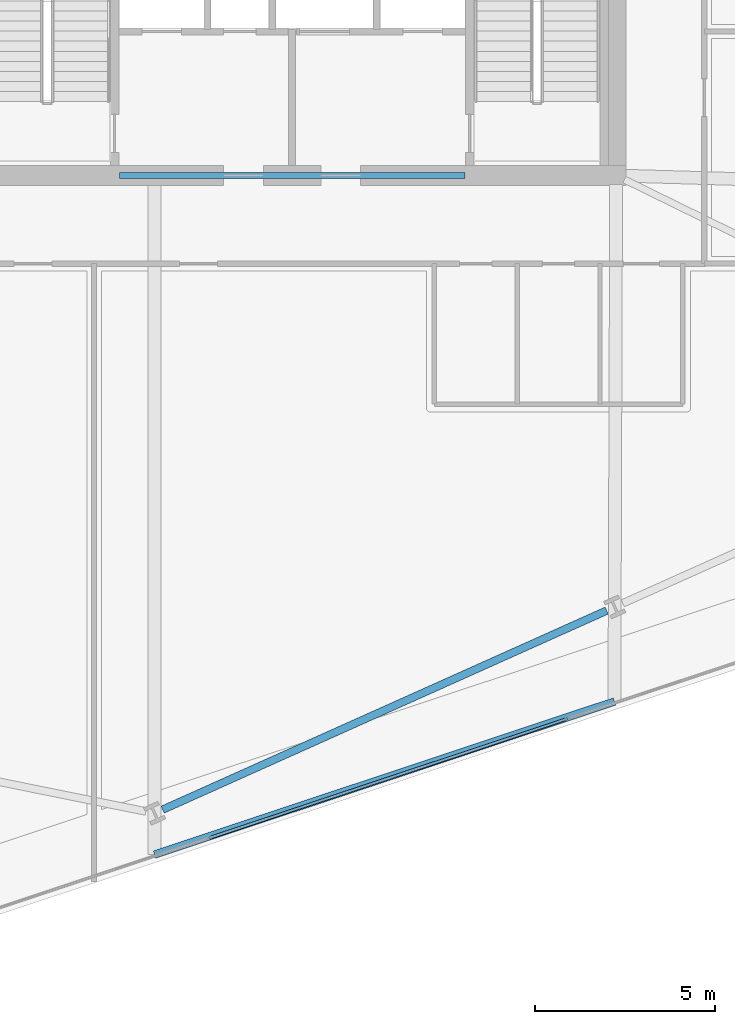
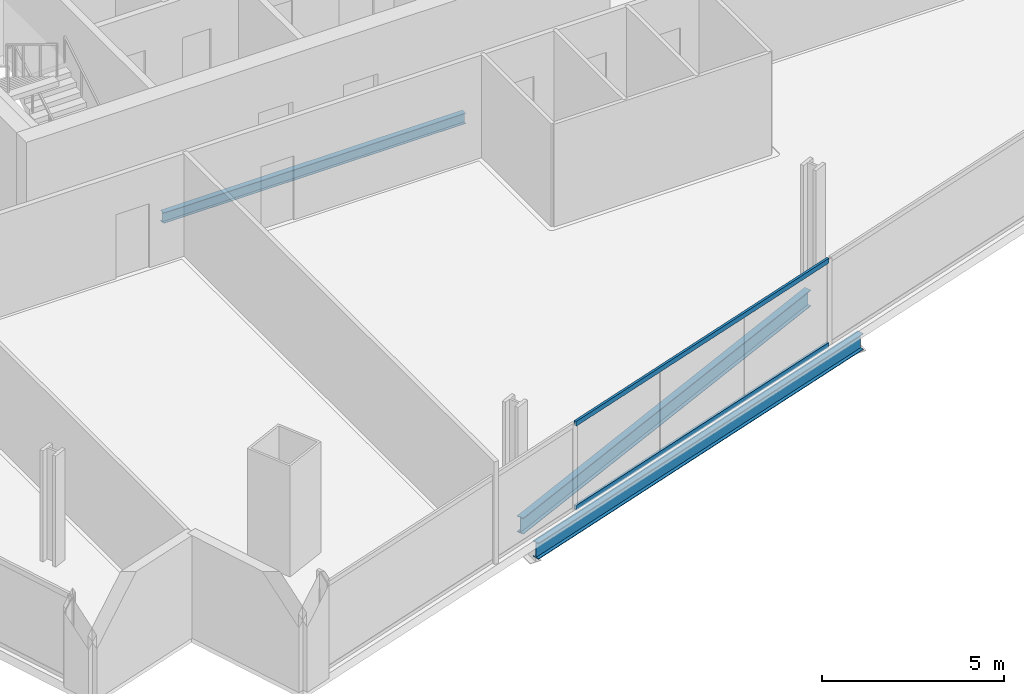
# One storey, part 7 of 34: 3 beams, 2 members, 1 element without a shape of its own.
"""IFC4 building model written with IfcOpenShell, lengths in metres."""

import ifcopenshell
import ifcopenshell.guid

model = None  # the IFC model being written
_history = None  # IfcOwnerHistory: only IFC2X3 demands one
_inside = {}  # id of a spatial element -> (the spatial element, [elements in it])
_under = {}  # id of a project, library or spatial element -> (it, [spatial elements below it])
_declared = {}  # id of a project -> (the project, [libraries it declares])
_typed = {}  # id of a type object -> (the type object, [elements of that type])
_made_of = {}  # id of a material, layer set ... -> (it, [elements and type objects made of it])


def new_model(schema):
    """Start an empty IFC model of exactly this schema.

    Asked for "IFC4X3", IfcOpenShell would pick the latest addendum, in which some entities
    have other attributes; the version numbers below select the first issue.
    IFC2X3 requires an IfcOwnerHistory on every rooted entity: one is made here for all.
    """
    global model, _history
    if schema == "IFC4X3":
        model = ifcopenshell.file(schema_version=(4, 3, 0, 0))
    else:
        model = ifcopenshell.file(schema=schema)
    _inside.clear()
    _under.clear()
    _declared.clear()
    _typed.clear()
    _made_of.clear()
    _history = None
    if model.schema == "IFC2X3":
        org = make("IfcOrganization", Name="unknown")
        user = make(
            "IfcPersonAndOrganization",
            ThePerson=make("IfcPerson", FamilyName="unknown"),
            TheOrganization=org,
        )
        app = make(
            "IfcApplication",
            ApplicationDeveloper=org,
            Version="unknown",
            ApplicationFullName="unknown",
            ApplicationIdentifier="unknown",
        )
        _history = make(
            "IfcOwnerHistory",
            OwningUser=user,
            OwningApplication=app,
            ChangeAction="ADDED",
            CreationDate=0,
        )
    return model


def make(cls, **values):
    """One entity of the class cls with the attributes given. An attribute that is None is left unset."""
    return model.create_entity(
        cls, **{name: value for name, value in values.items() if value is not None}
    )


def rooted(cls, **values):
    """An entity with a GlobalId (a new one), such as an element, a storey or a relation."""
    return make(cls, GlobalId=ifcopenshell.guid.new(), OwnerHistory=_history, **values)


def si_unit(unit_type, name, prefix=None):
    """IfcSIUnit, for example si_unit("LENGTHUNIT", "METRE", prefix="MILLI")."""
    return make("IfcSIUnit", UnitType=unit_type, Prefix=prefix, Name=name)


def assignment(units):
    """IfcUnitAssignment: the units of a project."""
    return None if units is None else make("IfcUnitAssignment", Units=units)


def point(xyz):
    """IfcCartesianPoint."""
    return None if xyz is None else make("IfcCartesianPoint", Coordinates=xyz)


def direction(xyz):
    """IfcDirection."""
    return None if xyz is None else make("IfcDirection", DirectionRatios=xyz)


def frame(location, z_axis=None, x_axis=None):
    """IfcAxis2Placement3D, a coordinate frame: its origin and axes. An axis left out is left unset."""
    return make(
        "IfcAxis2Placement3D",
        Location=point(location),
        Axis=direction(z_axis),
        RefDirection=direction(x_axis),
    )


def frame_2d(location, x_axis=None):
    """IfcAxis2Placement2D, a coordinate frame in the plane: its origin and x axis."""
    return make(
        "IfcAxis2Placement2D", Location=point(location), RefDirection=direction(x_axis)
    )


def origin():
    """The frame at (0, 0, 0) with its axes left unset."""
    return frame((0.0, 0.0, 0.0))


def origin_2d():
    """The frame at (0, 0) in the plane with its x axis left unset."""
    return frame_2d((0.0, 0.0))


def place(relative_to, where):
    """IfcLocalPlacement: puts the frame where relative to a parent placement (None: the world)."""
    return make(
        "IfcLocalPlacement", PlacementRelTo=relative_to, RelativePlacement=where
    )


def context(
    kind, dimensions, precision=None, world=None, true_north=None, identifier=None
):
    """IfcGeometricRepresentationContext, for example the 3D "Model" context."""
    return make(
        "IfcGeometricRepresentationContext",
        ContextIdentifier=identifier,
        ContextType=kind,
        CoordinateSpaceDimension=dimensions,
        Precision=precision,
        WorldCoordinateSystem=world,
        TrueNorth=true_north,
    )


def subcontext(parent, identifier, kind, view, scale=None):
    """IfcGeometricRepresentationSubContext, for example "Body" below "Model"."""
    return make(
        "IfcGeometricRepresentationSubContext",
        ContextIdentifier=identifier,
        ContextType=kind,
        ParentContext=parent,
        TargetScale=scale,
        TargetView=view,
    )


def project(units=None, contexts=None):
    """IfcProject with its units and contexts."""
    return rooted(
        "IfcProject",
        Name="project",
        RepresentationContexts=contexts,
        UnitsInContext=assignment(units),
    )


def spatial(cls, under=None, at=None, **own):
    """A site, building, storey or space (cls), placed at a placement, below another one or the project."""
    s = rooted(cls, ObjectPlacement=at, **own)
    if under is not None:
        _under.setdefault(under.id(), (under, []))[1].append(s)
    return s


def profile(cls, at=None, kind="AREA", **sizes):
    """A parametric profile (cls). Its sizes go by their IFC names, for example OverallWidth=200.0."""
    return make(cls, ProfileType=kind, Position=at, **sizes)


def hollow_rectangle(**sizes):
    """IfcRectangleHollowProfileDef."""
    return profile("IfcRectangleHollowProfileDef", **sizes)


def i_section(**sizes):
    """IfcIShapeProfileDef."""
    return profile("IfcIShapeProfileDef", **sizes)


def extrude(swept, where, along, depth):
    """IfcExtrudedAreaSolid: the profile swept, set in the frame where, extruded along a direction by depth."""
    return make(
        "IfcExtrudedAreaSolid",
        SweptArea=swept,
        Position=where,
        ExtrudedDirection=direction(along),
        Depth=depth,
    )


def shape(context_of_items, identifier, shape_type, items):
    """IfcShapeRepresentation: the items that make up one representation, for example the "Body"."""
    return make(
        "IfcShapeRepresentation",
        ContextOfItems=context_of_items,
        RepresentationIdentifier=identifier,
        RepresentationType=shape_type,
        Items=items,
    )


def material(Name=None, Category=None):
    """IfcMaterial."""
    return make("IfcMaterial", Name=Name, Category=Category)


def material_profile(
    of_material, cross_section, Name=None, Category=None, Priority=None
):
    """IfcMaterialProfile: a cross section and its material."""
    return make(
        "IfcMaterialProfile",
        Name=Name,
        Material=of_material,
        Profile=cross_section,
        Priority=Priority,
        Category=Category,
    )


def profile_set(profiles, Name=None, composite=None):
    """IfcMaterialProfileSet."""
    return make(
        "IfcMaterialProfileSet",
        Name=Name,
        MaterialProfiles=profiles,
        CompositeProfile=composite,
    )


def made_of(thing, what):
    """Note that an element or type object is made of a material, layer set ...; save() writes the relation."""
    if what is not None:
        _made_of.setdefault(what.id(), (what, []))[1].append(thing)
    return thing


def type_object(cls, material=None, **own):
    """A type object (cls), such as IfcWallType, which elements share."""
    return made_of(rooted(cls, **own), material)


def element(
    cls,
    number,
    at=None,
    inside=None,
    cuts=None,
    type_object=None,
    material=None,
    context=None,
    identifier="Body",
    shape_type=None,
    held_by="IfcProductDefinitionShape",
    body=None,
    shapes=None,
    **own,
):
    """One element of the class cls, such as IfcWall. Its Tag is "e" and its number.

    at: its placement. inside: the storey or other place that contains it. cuts: it is an
    opening in that element (IfcRelVoidsElement). A single representation is given by context,
    identifier, shape_type and body (its items); several are given by shapes. held_by: the class
    of the entity that holds the representations. save() writes the other relations.
    """
    e = rooted(cls, Tag="e%d" % number, ObjectPlacement=at, **own)
    if body is not None:
        shapes = [shape(context, identifier, shape_type, body)]
    if shapes is not None:
        e.Representation = make(held_by, Representations=shapes)
    if inside is not None:
        _inside.setdefault(inside.id(), (inside, []))[1].append(e)
    if cuts is not None:
        rooted(
            "IfcRelVoidsElement", RelatingBuildingElement=cuts, RelatedOpeningElement=e
        )
    if type_object is not None:
        _typed.setdefault(type_object.id(), (type_object, []))[1].append(e)
    return made_of(e, material)


def aggregate(whole, parts):
    """IfcRelAggregates: a whole, such as a stair, and the parts it consists of."""
    return rooted("IfcRelAggregates", RelatingObject=whole, RelatedObjects=parts)


def save(model, path):
    """Write the relations noted so far, then the file.

    IfcRelAggregates (storeys below a building ...), IfcRelContainedInSpatialStructure (elements
    in a storey), IfcRelDefinesByType, IfcRelAssociatesMaterial and IfcRelDeclares: one each for
    every whole, place, type object, material and project.
    """
    for whole, parts in _under.values():
        aggregate(whole, parts)
    for where, things in _inside.values():
        rooted(
            "IfcRelContainedInSpatialStructure",
            RelatedElements=things,
            RelatingStructure=where,
        )
    for kind, things in _typed.values():
        rooted("IfcRelDefinesByType", RelatedObjects=things, RelatingType=kind)
    for what, things in _made_of.values():
        rooted("IfcRelAssociatesMaterial", RelatedObjects=things, RelatingMaterial=what)
    for by, libraries in _declared.values():
        rooted("IfcRelDeclares", RelatingContext=by, RelatedDefinitions=libraries)
    model.write(path)


model = new_model("IFC4")

# Units and contexts
model_context = context("Model", 3, precision=1e-05, world=origin(), true_north=direction((0.0, 1.0)))
body_context = subcontext(model_context, "Body", "Model", "MODEL_VIEW")
ifc_project = project(units=[si_unit("LENGTHUNIT", "METRE"), si_unit("AREAUNIT", "SQUARE_METRE"), si_unit("VOLUMEUNIT", "CUBIC_METRE"), si_unit("PLANEANGLEUNIT", "RADIAN"), si_unit("MASSUNIT", "GRAM", prefix="KILO")], contexts=[model_context])

# Site, building, storey
site_placement = place(None, origin())
site = spatial("IfcSite", under=ifc_project, at=site_placement, CompositionType="ELEMENT")
building_placement = place(site_placement, origin())
building = spatial("IfcBuilding", under=site, at=building_placement, Name="Haldenkirk Collegiate Tower", CompositionType="ELEMENT")
storey_placement = place(building_placement, frame((0.0, 0.0, 90.449951171875)))
storey = spatial("IfcBuildingStorey", under=building, at=storey_placement, Name="L21", CompositionType="ELEMENT", Elevation=90.449951171875)

# Beams
ifc_material_1 = material(Name="Steel ASTM A992 Grade 50", Category="steel")
ifc_material_profile_1 = material_profile(ifc_material_1, i_section(OverallWidth=0.1708984375, OverallDepth=0.35595703125, WebThickness=0.007080078125, FlangeThickness=0.01171875, at=origin_2d()), Name="W14X34")
ifc_profile_set_1 = profile_set([ifc_material_profile_1], Name="Steel ASTM A992 Grade 50")
beam_type_1 = type_object("IfcBeamType", Name="BM-LINTEL-W14X34", PredefinedType="LINTEL", material=ifc_profile_set_1)
beam_1_placement = place(storey_placement, frame((31.199951171875, 18.0, -0.47802734375), z_axis=(1.0, 0.0, 0.0), x_axis=(0.0, 1.0, 0.0)))
element("IfcBeam", 1, at=beam_1_placement, inside=storey, type_object=beam_type_1, Name="L21 south core coupling lintel", PredefinedType="LINTEL", context=body_context, shape_type="SweptSolid", body=[
    extrude(i_section(OverallWidth=0.1708984375, OverallDepth=0.35595703125, WebThickness=0.007080078125, FlangeThickness=0.01171875, at=origin_2d()), origin(), (0.0, 0.0, 1.0), 9.60009765625),
])
ifc_material_profile_2 = material_profile(ifc_material_1, i_section(OverallWidth=0.2119140625, OverallDepth=0.5439453125, WebThickness=0.01318359375, FlangeThickness=0.021240234375, at=origin_2d()), Name="W21X83")
ifc_profile_set_2 = profile_set([ifc_material_profile_2], Name="Steel ASTM A992 Grade 50")
beam_type_2 = type_object("IfcBeamType", Name="BM-SPANDREL-W21X83", PredefinedType="SPANDREL", material=ifc_profile_set_2)
beam_2_placement = place(storey_placement, frame((32.405517578125, 0.3876953125, -0.572021484375), z_axis=(0.912476765144, 0.409128528793, 0.0), x_axis=(-0.409128528793, 0.912476765144, 0.0)))
element("IfcBeam", 2, at=beam_2_placement, inside=storey, type_object=beam_type_2, Name="L21 perimeter spandrel beam 02", PredefinedType="SPANDREL", context=body_context, shape_type="SweptSolid", body=[
    extrude(i_section(OverallWidth=0.2119140625, OverallDepth=0.5439453125, WebThickness=0.01318359375, FlangeThickness=0.021240234375, at=origin_2d()), origin(), (0.0, 0.0, 1.0), 13.512939453125),
])
beam_3_placement = place(storey_placement, frame((32.181396484375, -0.8583984375, -0.572021484375), z_axis=(0.948879041664, 0.315639928227, 0.0), x_axis=(-0.315639928227, 0.948879041664, 0.0)))
element("IfcBeam", 3, at=beam_3_placement, inside=storey, type_object=beam_type_2, Name="L21 outer facade edge beam 1", PredefinedType="SPANDREL", context=body_context, shape_type="SweptSolid", body=[
    extrude(i_section(OverallWidth=0.2119140625, OverallDepth=0.5439453125, WebThickness=0.01318359375, FlangeThickness=0.021240234375, at=origin_2d()), origin(), (0.0, 0.0, 1.0), 13.457763671875),
])

# Curtain wall, members
ifc_material_2 = material(Name="Anodised architectural bronze aluminium", Category="aluminium")
curtain_wall_type = type_object("IfcCurtainWallType", Name="CW-SYS2-CONCAVE", PredefinedType="USERDEFINED", material=ifc_material_2)
curtain_wall_placement = place(storey_placement, origin())
curtain_wall = element("IfcCurtainWall", 4, at=curtain_wall_placement, inside=storey, type_object=curtain_wall_type, Name="L21 South concave recessed bronze-anodised curtain wall", ObjectType="UNITISED CURTAIN WALL", PredefinedType="USERDEFINED")
ifc_material_profile_3 = material_profile(ifc_material_2, hollow_rectangle(XDim=0.074951171875, YDim=0.159912109375, WallThickness=0.0048828125, at=origin_2d()), Name="CW-TRN-02")
ifc_profile_set_3 = profile_set([ifc_material_profile_3], Name="Anodised architectural bronze aluminium")
member_type = type_object("IfcMemberType", Name="CW-TRN-02", PredefinedType="USERDEFINED", material=ifc_profile_set_3)
member_1_placement = place(storey_placement, frame((43.64111328125, 2.91162109375, 0.03759765625), z_axis=(-0.948878891126, -0.315640380776, 0.0), x_axis=(0.315640380776, -0.948878891126, 0.0)))
member_1 = element("IfcMember", 5, at=member_1_placement, type_object=member_type, Name="CW-02 transom 3.1", ObjectType="TRANSOM", PredefinedType="USERDEFINED", context=body_context, shape_type="SweptSolid", body=[
    extrude(hollow_rectangle(XDim=0.074951171875, YDim=0.159912109375, WallThickness=0.0048828125, at=origin_2d()), origin(), (0.0, 0.0, 1.0), 10.47509765625),
])
member_2_placement = place(storey_placement, frame((43.64111328125, 2.91162109375, 2.863525390625), z_axis=(-0.948878891126, -0.315640380776, 0.0), x_axis=(0.315640380776, -0.948878891126, 0.0)))
member_2 = element("IfcMember", 6, at=member_2_placement, type_object=member_type, Name="CW-02 transom 3.2", ObjectType="TRANSOM", PredefinedType="USERDEFINED", context=body_context, shape_type="SweptSolid", body=[
    extrude(hollow_rectangle(XDim=0.074951171875, YDim=0.159912109375, WallThickness=0.0048828125, at=origin_2d()), origin(), (0.0, 0.0, 1.0), 10.47509765625),
])
aggregate(curtain_wall, [member_1, member_2])

save(model, "model.ifc")
